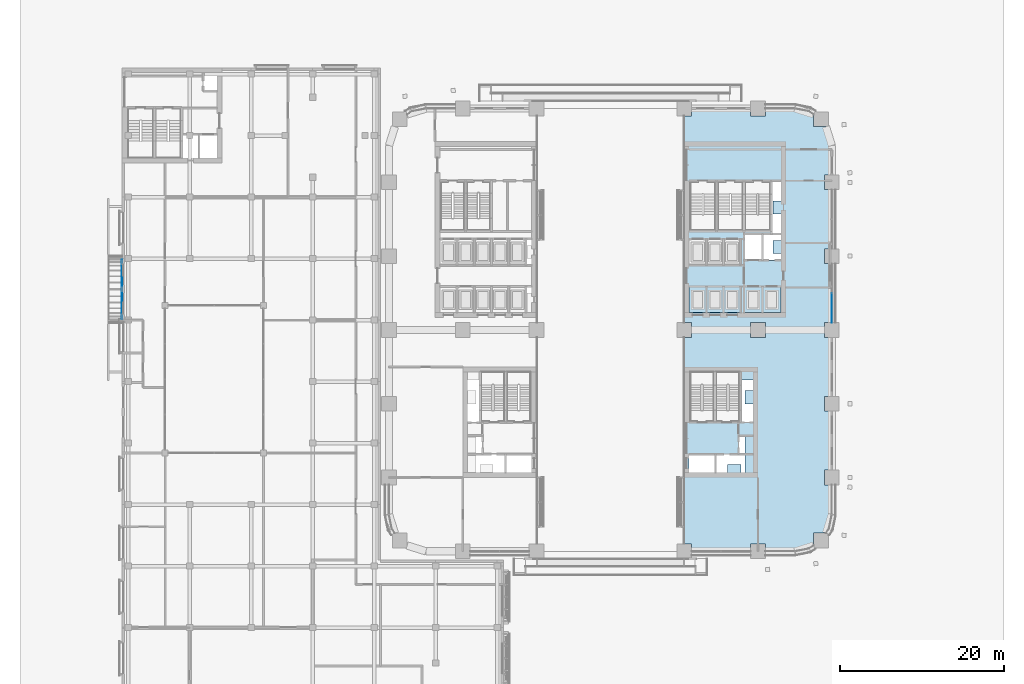
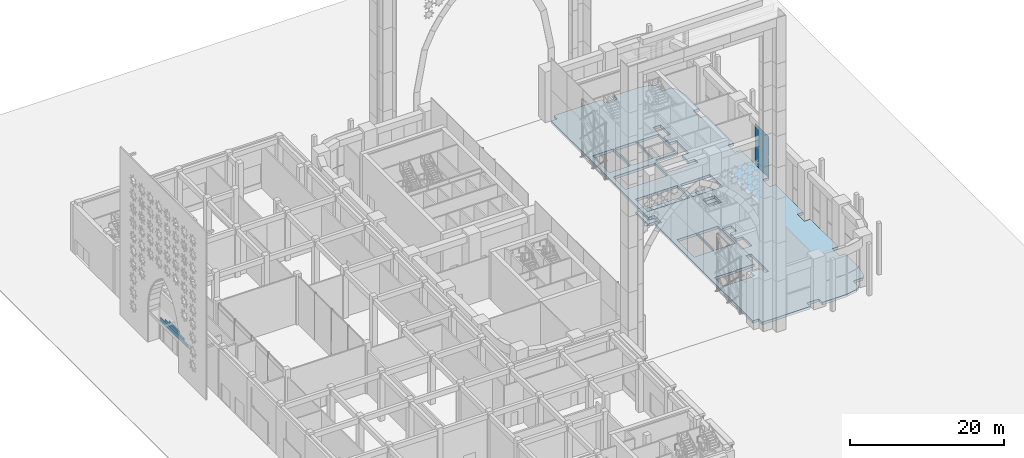
# One storey, part 24 of 64: 6 slabs, 5 plates, 1 element without a shape of its own.
"""IFC4 building model written with IfcOpenShell, lengths in metres."""

from ifc_helpers import new_model, si_unit, direction, frame, origin, origin_2d, place, context, subcontext, project, spatial, polyline, rectangle, outline, extrude, material, layer, layer_set, type_object, element, aggregate, save


model = new_model("IFC4")

# Units and contexts
model_context = context("Model", 3, precision=1e-05, world=origin(), true_north=direction((0.0, 1.0)))
body_context = subcontext(model_context, "Body", "Model", "MODEL_VIEW")
ifc_project = project(units=[si_unit("LENGTHUNIT", "METRE"), si_unit("AREAUNIT", "SQUARE_METRE"), si_unit("VOLUMEUNIT", "CUBIC_METRE"), si_unit("PLANEANGLEUNIT", "RADIAN"), si_unit("MASSUNIT", "GRAM", prefix="KILO")], contexts=[model_context])

# Site, building, storey
site_placement = place(None, origin())
site = spatial("IfcSite", under=ifc_project, at=site_placement, CompositionType="ELEMENT")
building_placement = place(site_placement, origin())
building = spatial("IfcBuilding", under=site, at=building_placement, Name="Tessera Arch", CompositionType="ELEMENT")
storey_placement = place(building_placement, origin())
storey = spatial("IfcBuildingStorey", under=building, at=storey_placement, Name="L00", CompositionType="ELEMENT", Elevation=0.0)

# Curtain wall, plates
ifc_material_1 = material(Name="CW6 curtain wall")
curtain_wall_type = type_object("IfcCurtainWallType", Name="CW6 curtain wall", PredefinedType="NOTDEFINED", material=ifc_material_1)
curtain_wall_placement = place(storey_placement, origin())
curtain_wall = element("IfcCurtainWall", 1, at=curtain_wall_placement, inside=storey, type_object=curtain_wall_type, Name="CW6 curtain wall E54.0/2 L00", PredefinedType="NOTDEFINED")
ifc_material_2 = material(Name="Clear low-e glass", Category="glass")
ifc_layer_1 = layer(ifc_material_2, 0.028076171875)
ifc_layer_set_1 = layer_set([ifc_layer_1], Name="CW6 glass panel")
plate_type_1 = type_object("IfcPlateType", Name="CW6 glass panel", PredefinedType="CURTAIN_PANEL", material=ifc_layer_set_1)
plate_1_placement = place(storey_placement, frame((54.0, 29.6826171875, 0.0), z_axis=(0.0, 0.0, 1.0), x_axis=(0.0, 1.0, 0.0)))
plate_1 = element("IfcPlate", 2, at=plate_1_placement, type_object=plate_type_1, Name="CW6 glass panel E54.0/2 1.1.1", PredefinedType="CURTAIN_PANEL", context=body_context, shape_type="SweptSolid", body=[
    extrude(rectangle(XDim=3.56494140625, YDim=0.028076171875, at=origin_2d()), origin(), (0.0, 0.0, 1.0), 3.175048828125),
])
plate_2_placement = place(storey_placement, frame((54.0, 29.6826171875, 3.294921875), z_axis=(0.0, 0.0, 1.0), x_axis=(0.0, 1.0, 0.0)))
plate_2 = element("IfcPlate", 3, at=plate_2_placement, type_object=plate_type_1, Name="CW6 glass panel E54.0/2 1.1.2", PredefinedType="CURTAIN_PANEL", context=body_context, shape_type="SweptSolid", body=[
    extrude(rectangle(XDim=3.56494140625, YDim=0.028076171875, at=origin_2d()), origin(), (0.0, 0.0, 1.0), 3.175048828125),
])
aggregate(curtain_wall, [plate_1, plate_2])

# Slab
ifc_material_3 = material(Name="Concrete C40/50", Category="concrete")
ifc_layer_2 = layer(ifc_material_3, 0.409912109375)
ifc_layer_set_2 = layer_set([ifc_layer_2], Name="Floor slab 410 Concrete C40/50")
slab_type_1 = type_object("IfcSlabType", Name="Floor slab 410 Concrete C40/50", PredefinedType="FLOOR", material=ifc_layer_set_2)
slab_1_placement = place(storey_placement, frame((0.0, 0.0, -0.409912109375)))
element("IfcSlab", 4, at=slab_1_placement, inside=storey, type_object=slab_type_1, Name="Floor slab L00 2", PredefinedType="FLOOR", context=body_context, shape_type="SweptSolid", body=[
    extrude(outline(polyline([(53.283447265625, 2.218017578125), (51.781982421875, 2.218017578125), (51.781982421875, 0.716552734375), (51.22216796875, 0.342529296875), (49.5, 0.0), (45.89990234375, 0.0), (45.89990234375, 0.89990234375), (44.10009765625, 0.89990234375), (44.10009765625, 0.0), (36.89990234375, 0.0), (36.89990234375, 0.89990234375), (36.0, 0.89990234375), (36.0, 26.10009765625), (36.89990234375, 26.10009765625), (36.89990234375, 27.89990234375), (36.0, 27.89990234375), (36.0, 53.10009765625), (36.89990234375, 53.10009765625), (36.89990234375, 54.0), (44.10009765625, 54.0), (44.10009765625, 53.10009765625), (45.89990234375, 53.10009765625), (45.89990234375, 54.0), (49.5, 54.0), (51.22216796875, 53.657470703125), (51.781982421875, 53.283447265625), (51.781982421875, 51.781982421875), (53.283447265625, 51.781982421875), (53.657470703125, 51.22216796875), (54.0, 49.5), (54.0, 45.89990234375), (53.10009765625, 45.89990234375), (53.10009765625, 44.10009765625), (54.0, 44.10009765625), (54.0, 36.89990234375), (53.10009765625, 36.89990234375), (53.10009765625, 35.10009765625), (54.0, 35.10009765625), (54.0, 27.89990234375), (53.10009765625, 27.89990234375), (53.10009765625, 26.10009765625), (54.0, 26.10009765625), (54.0, 18.89990234375), (53.10009765625, 18.89990234375), (53.10009765625, 17.10009765625), (54.0, 17.10009765625), (54.0, 9.89990234375), (53.10009765625, 9.89990234375), (53.10009765625, 8.10009765625), (54.0, 8.10009765625), (54.0, 4.5), (53.657470703125, 2.77783203125), (53.283447265625, 2.218017578125)]), holes=[polyline([(36.60009765625, 11.85009765625), (36.60009765625, 9.60009765625), (39.800048828125, 9.60009765625), (41.300048828125, 9.60009765625), (41.300048828125, 10.60009765625), (42.89990234375, 10.60009765625), (42.89990234375, 9.60009765625), (43.39990234375, 9.60009765625), (43.39990234375, 11.89990234375), (43.39990234375, 14.10009765625), (42.60009765625, 14.10009765625), (42.60009765625, 11.89990234375), (39.800048828125, 11.89990234375), (39.800048828125, 11.85009765625), (36.60009765625, 11.85009765625)]), polyline([(38.10009765625, 17.2099609375), (38.10009765625, 17.199951171875), (38.25, 17.199951171875), (38.25, 17.2099609375), (39.64990234375, 17.2099609375), (39.64990234375, 21.699951171875), (36.699951171875, 21.699951171875), (36.699951171875, 17.2099609375), (38.10009765625, 17.2099609375)]), polyline([(36.60009765625, 32.300048828125), (36.60009765625, 29.10009765625), (38.699951171875, 29.10009765625), (40.800048828125, 29.10009765625), (42.89990234375, 29.10009765625), (42.89990234375, 32.300048828125), (40.800048828125, 32.300048828125), (38.699951171875, 32.300048828125), (36.60009765625, 32.300048828125)]), polyline([(38.699951171875, 38.10009765625), (36.60009765625, 38.10009765625), (36.60009765625, 34.89990234375), (38.699951171875, 34.89990234375), (40.800048828125, 34.89990234375), (42.89990234375, 34.89990234375), (42.89990234375, 38.10009765625), (40.800048828125, 38.10009765625), (38.699951171875, 38.10009765625)]), polyline([(42.89990234375, 15.699951171875), (44.39990234375, 15.699951171875), (44.39990234375, 18.0), (43.39990234375, 18.0), (43.39990234375, 19.60009765625), (44.39990234375, 19.60009765625), (44.39990234375, 20.89990234375), (42.89990234375, 20.89990234375), (42.89990234375, 15.699951171875)]), polyline([(41.25, 17.199951171875), (41.39990234375, 17.199951171875), (41.39990234375, 17.2099609375), (42.800048828125, 17.2099609375), (42.800048828125, 21.699951171875), (39.85009765625, 21.699951171875), (39.85009765625, 17.2099609375), (41.25, 17.2099609375), (41.25, 17.199951171875)]), polyline([(44.10009765625, 27.89990234375), (44.10009765625, 26.10009765625), (45.89990234375, 26.10009765625), (45.89990234375, 27.89990234375), (44.10009765625, 27.89990234375)]), polyline([(43.300048828125, 29.10009765625), (45.550048828125, 29.10009765625), (47.800048828125, 29.10009765625), (47.800048828125, 32.300048828125), (45.550048828125, 32.300048828125), (43.300048828125, 32.300048828125), (43.300048828125, 29.10009765625)]), polyline([(46.64990234375, 45.199951171875), (46.64990234375, 38.699951171875), (45.550048828125, 38.699951171875), (43.300048828125, 38.699951171875), (43.300048828125, 35.5), (45.550048828125, 35.5), (47.800048828125, 35.5), (47.800048828125, 36.300048828125), (46.800048828125, 36.300048828125), (46.800048828125, 37.89990234375), (47.800048828125, 37.89990234375), (47.800048828125, 38.699951171875), (47.800048828125, 41.14990234375), (46.800048828125, 41.14990234375), (46.800048828125, 42.75), (47.800048828125, 42.75), (47.800048828125, 45.199951171875), (46.64990234375, 45.199951171875)]), polyline([(45.030029296875, 43.570068359375), (45.030029296875, 43.580078125), (44.919921875, 43.580078125), (44.919921875, 43.570068359375), (43.39990234375, 43.570068359375), (43.39990234375, 39.199951171875), (46.550048828125, 39.199951171875), (46.550048828125, 43.570068359375), (45.030029296875, 43.570068359375)]), polyline([(38.330078125, 43.580078125), (38.219970703125, 43.580078125), (38.219970703125, 43.570068359375), (36.699951171875, 43.570068359375), (36.699951171875, 39.199951171875), (39.85009765625, 39.199951171875), (39.85009765625, 43.570068359375), (38.330078125, 43.570068359375), (38.330078125, 43.580078125)]), polyline([(41.679931640625, 43.570068359375), (41.679931640625, 43.580078125), (41.570068359375, 43.580078125), (41.570068359375, 43.570068359375), (40.050048828125, 43.570068359375), (40.050048828125, 39.199951171875), (43.199951171875, 39.199951171875), (43.199951171875, 43.570068359375), (41.679931640625, 43.570068359375)])]), origin(), (0.0, 0.0, 1.0), 0.409912109375),
])

# Plates
ifc_material_4 = material(Name="Glazed ceramic tile gold", Category="ceramic")
ifc_layer_3 = layer(ifc_material_4, 0.030029296875)
ifc_layer_set_3 = layer_set([ifc_layer_3], Name="Museum tile band gold")
plate_type_2 = type_object("IfcPlateType", Name="Museum tile band gold", PredefinedType="SHEET", material=ifc_layer_set_3)
plate_3_placement = place(storey_placement, frame((-32.56494140625, 31.949951171875, 3.60009765625), z_axis=(0.0, 0.0, 1.0), x_axis=(0.0, 1.0, 0.0)))
element("IfcPlate", 5, at=plate_3_placement, inside=storey, type_object=plate_type_2, Name="Entrance portal course 2", PredefinedType="SHEET", context=body_context, shape_type="SweptSolid", body=[
    extrude(rectangle(XDim=5.0, YDim=0.030029296875, at=origin_2d()), origin(), (0.0, 0.0, 1.0), 0.39990234375),
])
ifc_material_5 = material(Name="Glazed ceramic tile turquoise", Category="ceramic")
ifc_layer_4 = layer(ifc_material_5, 0.030029296875)
ifc_layer_set_4 = layer_set([ifc_layer_4], Name="Museum tile band turquoise")
plate_type_3 = type_object("IfcPlateType", Name="Museum tile band turquoise", PredefinedType="SHEET", material=ifc_layer_set_4)
plate_4_placement = place(storey_placement, frame((-32.56494140625, 31.949951171875, 3.0), z_axis=(0.0, 0.0, 1.0), x_axis=(0.0, 1.0, 0.0)))
element("IfcPlate", 6, at=plate_4_placement, inside=storey, type_object=plate_type_3, Name="Entrance portal course 1", PredefinedType="SHEET", context=body_context, shape_type="SweptSolid", body=[
    extrude(rectangle(XDim=7.199951171875, YDim=0.030029296875, at=origin_2d()), origin(), (0.0, 0.0, 1.0), 0.60009765625),
])
plate_5_placement = place(storey_placement, frame((-32.56494140625, 31.949951171875, 4.0), z_axis=(0.0, 0.0, 1.0), x_axis=(0.0, 1.0, 0.0)))
element("IfcPlate", 7, at=plate_5_placement, inside=storey, type_object=plate_type_3, Name="Entrance portal course 3", PredefinedType="SHEET", context=body_context, shape_type="SweptSolid", body=[
    extrude(rectangle(XDim=2.800048828125, YDim=0.030029296875, at=origin_2d()), origin(), (0.0, 0.0, 1.0), 0.39990234375),
])

# Slabs
ifc_material_6 = material(Name="Concrete C40/50", Category="concrete")
ifc_layer_5 = layer(ifc_material_6, 0.300048828125)
ifc_layer_set_5 = layer_set([ifc_layer_5], Name="Pit floor 300")
slab_type_2 = type_object("IfcSlabType", Name="Pit floor 300", PredefinedType="BASESLAB", material=ifc_layer_set_5)
slab_2_placement = place(storey_placement, frame((0.0, 0.0, -2.300048828125)))
element("IfcSlab", 8, at=slab_2_placement, inside=storey, type_object=slab_type_2, Name="FF1 lift pit floor", PredefinedType="BASESLAB", context=body_context, shape_type="SweptSolid", body=[
    extrude(outline(polyline([(43.300048828125, 29.10009765625), (45.550048828125, 29.10009765625), (45.550048828125, 32.300048828125), (43.300048828125, 32.300048828125), (43.300048828125, 29.10009765625)])), origin(), (0.0, 0.0, 1.0), 0.300048828125),
])
slab_3_placement = place(storey_placement, frame((0.0, 0.0, -2.300048828125)))
element("IfcSlab", 9, at=slab_3_placement, inside=storey, type_object=slab_type_2, Name="FF2 lift pit floor", PredefinedType="BASESLAB", context=body_context, shape_type="SweptSolid", body=[
    extrude(outline(polyline([(45.550048828125, 29.10009765625), (47.800048828125, 29.10009765625), (47.800048828125, 32.300048828125), (45.550048828125, 32.300048828125), (45.550048828125, 29.10009765625)])), origin(), (0.0, 0.0, 1.0), 0.300048828125),
])
slab_4_placement = place(storey_placement, frame((0.0, 0.0, -2.300048828125)))
element("IfcSlab", 10, at=slab_4_placement, inside=storey, type_object=slab_type_2, Name="HR1 lift pit floor", PredefinedType="BASESLAB", context=body_context, shape_type="SweptSolid", body=[
    extrude(outline(polyline([(36.60009765625, 29.10009765625), (38.699951171875, 29.10009765625), (38.699951171875, 32.300048828125), (36.60009765625, 32.300048828125), (36.60009765625, 29.10009765625)])), origin(), (0.0, 0.0, 1.0), 0.300048828125),
])
slab_5_placement = place(storey_placement, frame((0.0, 0.0, -2.300048828125)))
element("IfcSlab", 11, at=slab_5_placement, inside=storey, type_object=slab_type_2, Name="HR2 lift pit floor", PredefinedType="BASESLAB", context=body_context, shape_type="SweptSolid", body=[
    extrude(outline(polyline([(38.699951171875, 29.10009765625), (40.800048828125, 29.10009765625), (40.800048828125, 32.300048828125), (38.699951171875, 32.300048828125), (38.699951171875, 29.10009765625)])), origin(), (0.0, 0.0, 1.0), 0.300048828125),
])
slab_6_placement = place(storey_placement, frame((0.0, 0.0, -2.300048828125)))
element("IfcSlab", 12, at=slab_6_placement, inside=storey, type_object=slab_type_2, Name="HR3 lift pit floor", PredefinedType="BASESLAB", context=body_context, shape_type="SweptSolid", body=[
    extrude(outline(polyline([(40.800048828125, 29.10009765625), (42.89990234375, 29.10009765625), (42.89990234375, 32.300048828125), (40.800048828125, 32.300048828125), (40.800048828125, 29.10009765625)])), origin(), (0.0, 0.0, 1.0), 0.300048828125),
])

save(model, "model.ifc")
